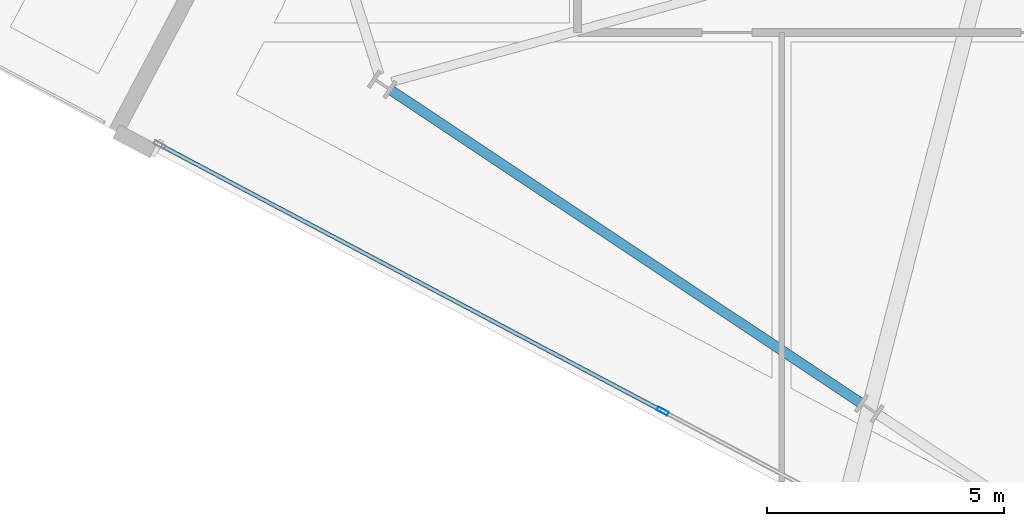
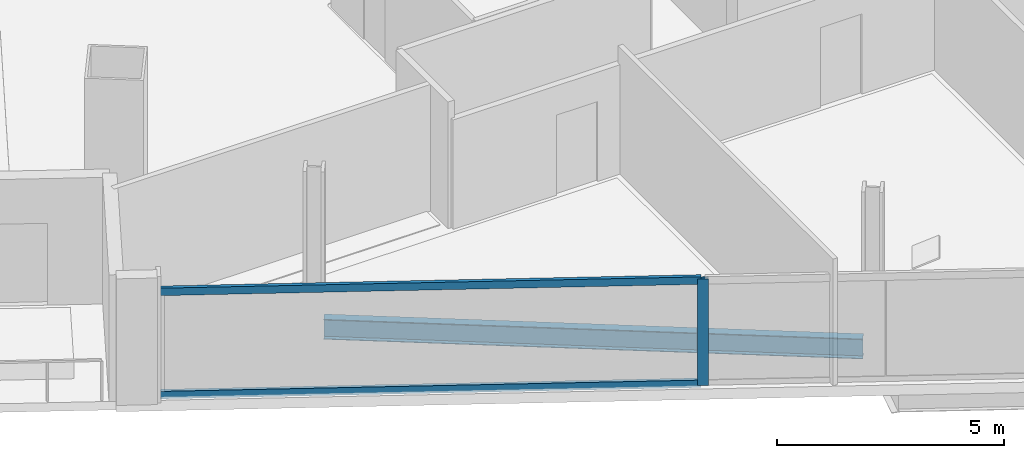
# One storey, part 2 of 28: 3 members, 1 beam, 1 element without a shape of its own.
"""IFC4 building model written with IfcOpenShell, lengths in metres."""

from ifc_helpers import new_model, si_unit, direction, frame, origin, origin_2d, place, context, subcontext, project, spatial, hollow_rectangle, i_section, extrude, material, material_profile, profile_set, type_object, element, aggregate, save


model = new_model("IFC4")

# Units and contexts
model_context = context("Model", 3, precision=1e-05, world=origin(), true_north=direction((0.0, 1.0)))
body_context = subcontext(model_context, "Body", "Model", "MODEL_VIEW")
ifc_project = project(units=[si_unit("LENGTHUNIT", "METRE"), si_unit("AREAUNIT", "SQUARE_METRE"), si_unit("VOLUMEUNIT", "CUBIC_METRE"), si_unit("PLANEANGLEUNIT", "RADIAN"), si_unit("MASSUNIT", "GRAM", prefix="KILO")], contexts=[model_context])

# Site, building, storey
site_placement = place(None, origin())
site = spatial("IfcSite", under=ifc_project, at=site_placement, CompositionType="ELEMENT")
building_placement = place(site_placement, origin())
building = spatial("IfcBuilding", under=site, at=building_placement, Name="Haldenkirk Collegiate Tower", CompositionType="ELEMENT")
storey_placement = place(building_placement, frame((0.0, 0.0, 235.949951171875)))
storey = spatial("IfcBuildingStorey", under=building, at=storey_placement, Name="L59", CompositionType="ELEMENT", Elevation=235.949951171875)

# Beam
ifc_material_1 = material(Name="Steel ASTM A992 Grade 50", Category="steel")
ifc_material_profile_1 = material_profile(ifc_material_1, i_section(OverallWidth=0.2099609375, OverallDepth=0.537109375, WebThickness=0.010986328125, FlangeThickness=0.017333984375, at=origin_2d()), Name="W21X68")
ifc_profile_set_1 = profile_set([ifc_material_profile_1], Name="Steel ASTM A992 Grade 50")
beam_type = type_object("IfcBeamType", Name="BM-SPANDREL-W21X68", PredefinedType="SPANDREL", material=ifc_profile_set_1)
beam_placement = place(storey_placement, frame((14.26904296875, 14.337158203125, -0.54833984375), z_axis=(0.832438805455, -0.554116986901, 0.0), x_axis=(0.554116986901, 0.832438805455, 0.0)))
element("IfcBeam", 1, at=beam_placement, inside=storey, type_object=beam_type, Name="L59 perimeter spandrel beam 14", PredefinedType="SPANDREL", context=body_context, shape_type="SweptSolid", body=[
    extrude(i_section(OverallWidth=0.2099609375, OverallDepth=0.537109375, WebThickness=0.010986328125, FlangeThickness=0.017333984375, at=origin_2d()), origin(), (0.0, 0.0, 1.0), 11.885009765625),
])

# Curtain wall, members
ifc_material_2 = material(Name="Anodised architectural bronze aluminium", Category="aluminium")
curtain_wall_type = type_object("IfcCurtainWallType", Name="CW-SYS1B-CONVEX-HI", PredefinedType="USERDEFINED", material=ifc_material_2)
curtain_wall_placement = place(storey_placement, origin())
curtain_wall = element("IfcCurtainWall", 2, at=curtain_wall_placement, inside=storey, type_object=curtain_wall_type, Name="L59 Upper tower high-wind convex bronze unitised curtain wall", ObjectType="UNITISED CURTAIN WALL", PredefinedType="USERDEFINED")
ifc_material_profile_2 = material_profile(ifc_material_2, hollow_rectangle(XDim=0.0849609375, YDim=0.25, WallThickness=0.0048828125, at=origin_2d()), Name="CW-MUL-1B")
ifc_profile_set_2 = profile_set([ifc_material_profile_2], Name="Anodised architectural bronze aluminium")
member_type_1 = type_object("IfcMemberType", Name="CW-MUL-1B", PredefinedType="MULLION", material=ifc_profile_set_2)
member_1_placement = place(storey_placement, frame((19.994384765625, 7.578125, 0.0), z_axis=(0.0, 0.0, 1.0), x_axis=(-0.467931023072, -0.883764990055, 0.0)))
member_1 = element("IfcMember", 3, at=member_1_placement, type_object=member_type_1, Name="CW-1B mullion 3", PredefinedType="MULLION", context=body_context, shape_type="SweptSolid", body=[
    extrude(hollow_rectangle(XDim=0.0849609375, YDim=0.25, WallThickness=0.0048828125, at=origin_2d()), origin(), (0.0, 0.0, 1.0), 2.858154296875),
])
ifc_material_profile_3 = material_profile(ifc_material_2, hollow_rectangle(XDim=0.0849609375, YDim=0.199951171875, WallThickness=0.0048828125, at=origin_2d()), Name="CW-TRN-1B")
ifc_profile_set_3 = profile_set([ifc_material_profile_3], Name="Anodised architectural bronze aluminium")
member_type_2 = type_object("IfcMemberType", Name="CW-TRN-1B", PredefinedType="USERDEFINED", material=ifc_profile_set_3)
member_2_placement = place(storey_placement, frame((19.956787109375, 7.59814453125, 0.04248046875), z_axis=(-0.883763955912, 0.467932976215, 0.0), x_axis=(-0.467932976215, -0.883763955912, 0.0)))
member_2 = element("IfcMember", 4, at=member_2_placement, type_object=member_type_2, Name="CW-1B transom 3.1", ObjectType="TRANSOM", PredefinedType="USERDEFINED", context=body_context, shape_type="SweptSolid", body=[
    extrude(hollow_rectangle(XDim=0.0849609375, YDim=0.199951171875, WallThickness=0.0048828125, at=origin_2d()), origin(), (0.0, 0.0, 1.0), 11.897216796875),
])
member_3_placement = place(storey_placement, frame((19.956787109375, 7.59814453125, 2.8154296875), z_axis=(-0.883763955912, 0.467932976215, 0.0), x_axis=(-0.467932976215, -0.883763955912, 0.0)))
member_3 = element("IfcMember", 5, at=member_3_placement, type_object=member_type_2, Name="CW-1B transom 3.2", ObjectType="TRANSOM", PredefinedType="USERDEFINED", context=body_context, shape_type="SweptSolid", body=[
    extrude(hollow_rectangle(XDim=0.0849609375, YDim=0.199951171875, WallThickness=0.0048828125, at=origin_2d()), origin(), (0.0, 0.0, 1.0), 11.897216796875),
])
aggregate(curtain_wall, [member_1, member_2, member_3])

save(model, "model.ifc")
